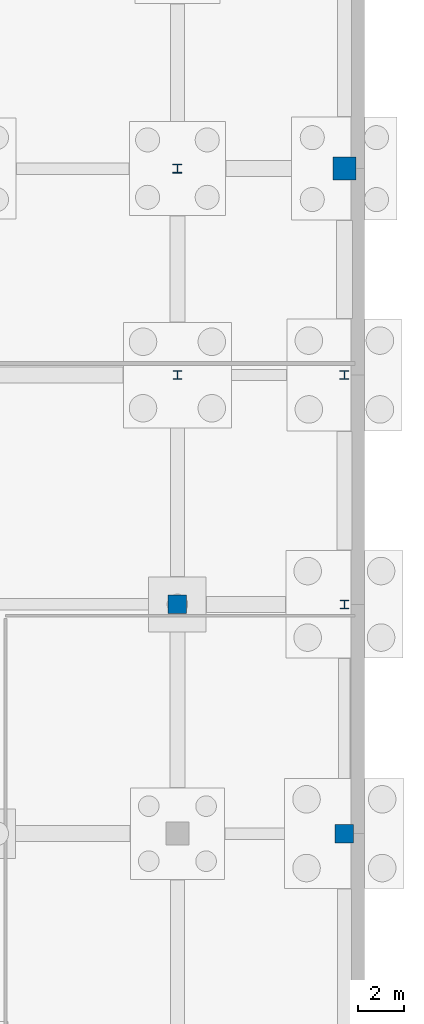
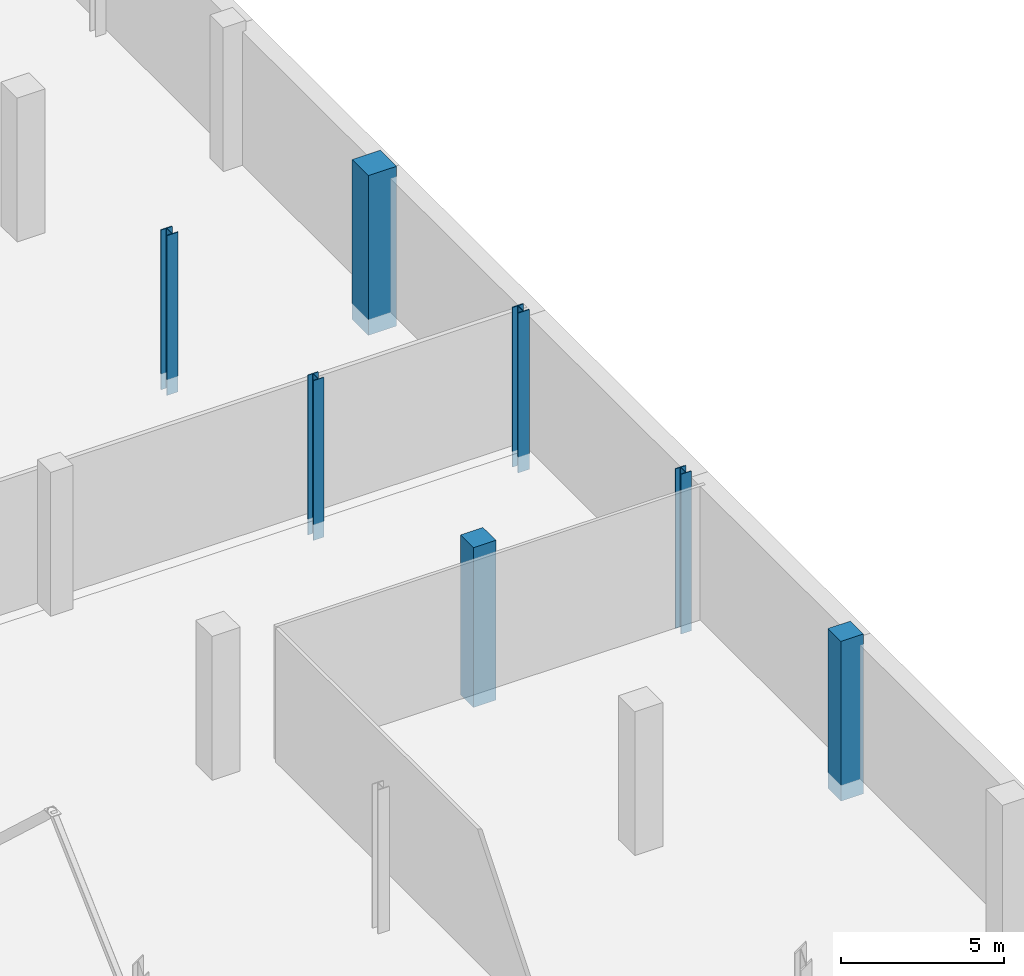
# One storey, part 34 of 60: 7 columns.
"""IFC4 building model written with IfcOpenShell, lengths in metres."""

from ifc_helpers import new_model, si_unit, direction, frame, origin, origin_2d, place, context, subcontext, project, spatial, rectangle, i_section, extrude, material, material_profile, profile_set, type_object, element, save


model = new_model("IFC4")

# Units and contexts
model_context = context("Model", 3, precision=1e-05, world=origin(), true_north=direction((0.0, 1.0)))
body_context = subcontext(model_context, "Body", "Model", "MODEL_VIEW")
ifc_project = project(units=[si_unit("LENGTHUNIT", "METRE"), si_unit("AREAUNIT", "SQUARE_METRE"), si_unit("VOLUMEUNIT", "CUBIC_METRE"), si_unit("PLANEANGLEUNIT", "RADIAN"), si_unit("MASSUNIT", "GRAM", prefix="KILO")], contexts=[model_context])

# Site, building, storey
site_placement = place(None, origin())
site = spatial("IfcSite", under=ifc_project, at=site_placement, CompositionType="ELEMENT")
building_placement = place(site_placement, origin())
building = spatial("IfcBuilding", under=site, at=building_placement, Name="Trimount Lyric Opera House", CompositionType="ELEMENT")
storey_placement = place(building_placement, frame((0.0, 0.0, -5.39990234375)))
storey = spatial("IfcBuildingStorey", under=building, at=storey_placement, Name="B1", CompositionType="ELEMENT", Elevation=-5.39990234375)

# Columns
ifc_material_1 = material(Name="Steel ASTM A992 Grade 50", Category="steel")
ifc_material_profile_1 = material_profile(ifc_material_1, i_section(OverallWidth=0.39892578125, OverallDepth=0.385986328125, WebThickness=0.02099609375, FlangeThickness=0.033203125, FilletRadius=0.01611328125, at=origin_2d()), Name="W14X176")
ifc_profile_set_1 = profile_set([ifc_material_profile_1], Name="Steel ASTM A992 Grade 50")
column_type_1 = type_object("IfcColumnType", Name="C-03", PredefinedType="COLUMN", material=ifc_profile_set_1)
for number, where, z_axis, x_axis, name in (
    (1, (166.0, 93.0, -0.60009765625), (0.0, 0.0, 1.0), (1.0, 0.0, 0.0), "B1 column 19/L"),
    (2, (173.280029296875, 84.0, -0.60009765625), (0.0, 0.0, 1.0), (1.0, 0.0, 0.0), "B1 column 20/K"),
):
    element("IfcColumn", number, at=place(storey_placement, frame(where, z_axis=z_axis, x_axis=x_axis)), inside=storey, type_object=column_type_1, Name=name, PredefinedType="COLUMN", context=body_context, shape_type="SweptSolid", body=[
        extrude(i_section(OverallWidth=0.39892578125, OverallDepth=0.385986328125, WebThickness=0.02099609375, FlangeThickness=0.033203125, FilletRadius=0.01611328125, at=origin_2d()), origin(), (0.0, 0.0, 1.0), 6.0),
    ])
ifc_material_2 = material(Name="Steel ASTM A992 Grade 50", Category="steel")
ifc_material_profile_2 = material_profile(ifc_material_2, i_section(OverallWidth=0.373046875, OverallDepth=0.367919921875, WebThickness=0.014892578125, FlangeThickness=0.02392578125, FilletRadius=0.014892578125, at=origin_2d()), Name="W14X120")
ifc_profile_set_2 = profile_set([ifc_material_profile_2], Name="Steel ASTM A992 Grade 50")
column_type_2 = type_object("IfcColumnType", Name="C-08", PredefinedType="COLUMN", material=ifc_profile_set_2)
for number, where, z_axis, x_axis, name in (
    (3, (166.0, 84.0, -0.60009765625), (0.0, 0.0, 1.0), (1.0, 0.0, 0.0), "B1 column 19/K"),
    (4, (173.280029296875, 74.0, -0.60009765625), (0.0, 0.0, 1.0), (1.0, 0.0, 0.0), "B1 column 20/J"),
):
    element("IfcColumn", number, at=place(storey_placement, frame(where, z_axis=z_axis, x_axis=x_axis)), inside=storey, type_object=column_type_2, Name=name, PredefinedType="COLUMN", context=body_context, shape_type="SweptSolid", body=[
        extrude(i_section(OverallWidth=0.373046875, OverallDepth=0.367919921875, WebThickness=0.014892578125, FlangeThickness=0.02392578125, FilletRadius=0.014892578125, at=origin_2d()), origin(), (0.0, 0.0, 1.0), 6.0),
    ])
ifc_material_3 = material(Name="Concrete C50/60", Category="concrete")
ifc_material_profile_3 = material_profile(ifc_material_3, rectangle(XDim=1.0, YDim=1.0, at=origin_2d()), Name="RC1000X1000")
ifc_profile_set_3 = profile_set([ifc_material_profile_3], Name="Concrete C50/60")
column_type_3 = type_object("IfcColumnType", Name="C-12", PredefinedType="COLUMN", material=ifc_profile_set_3)
column_placement = place(storey_placement, frame((173.280029296875, 93.0, -0.60009765625), z_axis=(0.0, 0.0, 1.0), x_axis=(1.0, 0.0, 0.0)))
element("IfcColumn", 5, at=column_placement, inside=storey, type_object=column_type_3, Name="B1 column 20/L", PredefinedType="COLUMN", context=body_context, shape_type="SweptSolid", body=[
    extrude(rectangle(XDim=1.0, YDim=1.0, at=origin_2d()), origin(), (0.0, 0.0, 1.0), 6.0),
])
ifc_material_4 = material(Name="Concrete C40/50", Category="concrete")
ifc_material_profile_4 = material_profile(ifc_material_4, rectangle(XDim=0.800048828125, YDim=0.800048828125, at=origin_2d()), Name="RC800X800")
ifc_profile_set_4 = profile_set([ifc_material_profile_4], Name="Concrete C40/50")
column_type_4 = type_object("IfcColumnType", Name="C-14", PredefinedType="COLUMN", material=ifc_profile_set_4)
for number, where, z_axis, x_axis, name in (
    (6, (166.0, 74.0, -0.60009765625), (0.0, 0.0, 1.0), (1.0, 0.0, 0.0), "B1 column 19/J"),
    (7, (173.280029296875, 64.0, -0.60009765625), (0.0, 0.0, 1.0), (1.0, 0.0, 0.0), "B1 column 20/H"),
):
    element("IfcColumn", number, at=place(storey_placement, frame(where, z_axis=z_axis, x_axis=x_axis)), inside=storey, type_object=column_type_4, Name=name, PredefinedType="COLUMN", context=body_context, shape_type="SweptSolid", body=[
        extrude(rectangle(XDim=0.800048828125, YDim=0.800048828125, at=origin_2d()), origin(), (0.0, 0.0, 1.0), 6.0),
    ])

save(model, "model.ifc")
